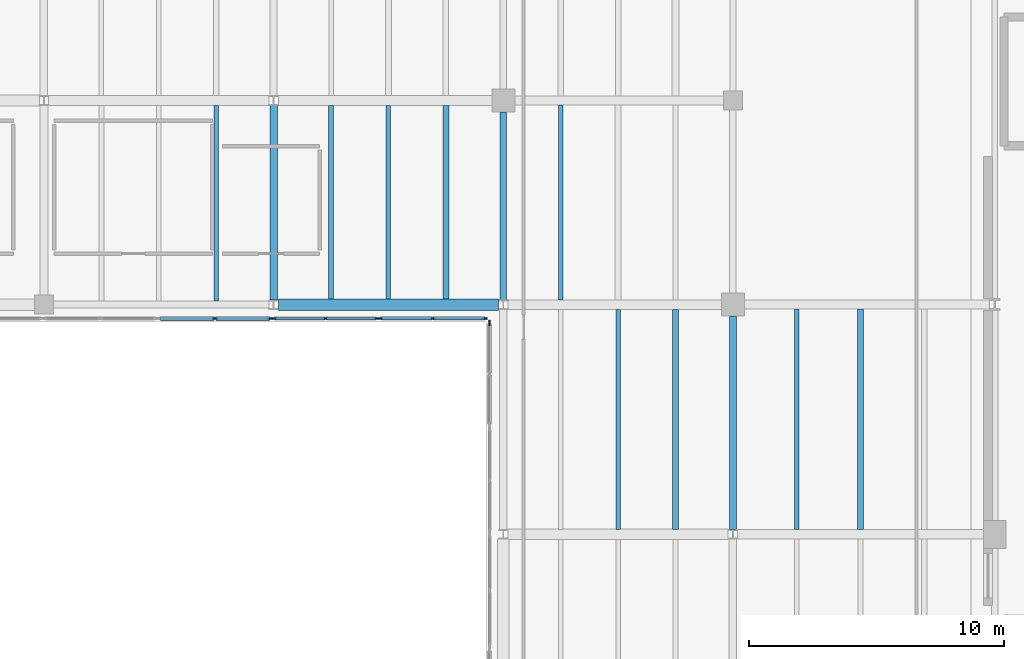
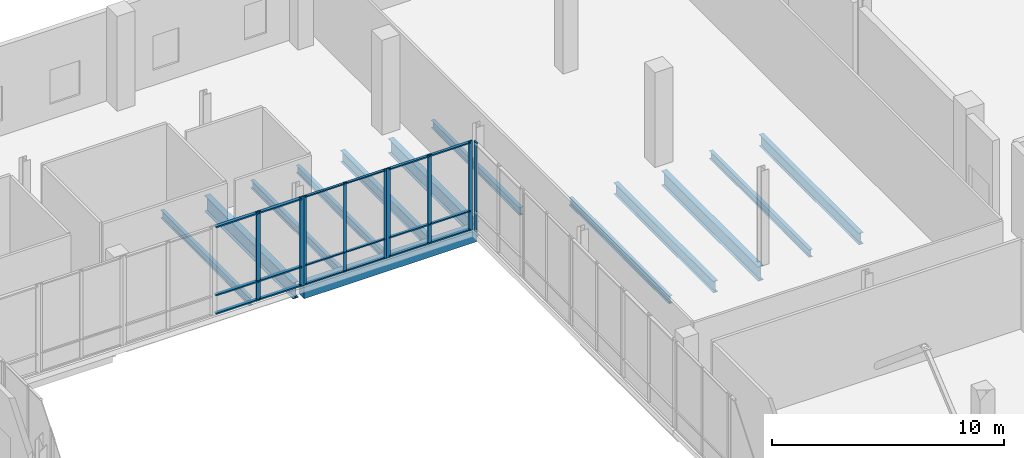
# One storey, part 28 of 60: 27 members, 13 beams, 4 elements without a shape of their own.
"""IFC4 building model written with IfcOpenShell, lengths in metres."""

from ifc_helpers import new_model, si_unit, direction, frame, origin, origin_2d, place, context, subcontext, project, spatial, rectangle, i_section, extrude, material, material_profile, profile_set, type_object, element, aggregate, save


model = new_model("IFC4")

# Units and contexts
model_context = context("Model", 3, precision=1e-05, world=origin(), true_north=direction((0.0, 1.0)))
body_context = subcontext(model_context, "Body", "Model", "MODEL_VIEW")
ifc_project = project(units=[si_unit("LENGTHUNIT", "METRE"), si_unit("AREAUNIT", "SQUARE_METRE"), si_unit("VOLUMEUNIT", "CUBIC_METRE"), si_unit("PLANEANGLEUNIT", "RADIAN"), si_unit("MASSUNIT", "GRAM", prefix="KILO")], contexts=[model_context])

# Site, building, storey
site_placement = place(None, origin())
site = spatial("IfcSite", under=ifc_project, at=site_placement, CompositionType="ELEMENT")
building_placement = place(site_placement, origin())
building = spatial("IfcBuilding", under=site, at=building_placement, Name="Trimount Lyric Opera House", CompositionType="ELEMENT")
storey_placement = place(building_placement, frame((0.0, 0.0, 15.0)))
storey = spatial("IfcBuildingStorey", under=building, at=storey_placement, Name="L03", CompositionType="ELEMENT", Elevation=15.0)

# Beams
ifc_material_1 = material(Name="Steel ASTM A992 Grade 50", Category="steel")
ifc_material_profile_1 = material_profile(ifc_material_1, i_section(OverallWidth=0.2919921875, OverallDepth=0.845947265625, WebThickness=0.015380859375, FlangeThickness=0.0244140625, FilletRadius=0.01806640625, at=origin_2d()), Name="W33X141")
ifc_profile_set_1 = profile_set([ifc_material_profile_1], Name="Steel ASTM A992 Grade 50")
beam_type_1 = type_object("IfcBeamType", Name="B-05", PredefinedType="BEAM", material=ifc_profile_set_1)
beam_1_placement = place(storey_placement, frame((36.0, 102.177978515625, -0.702880859375), z_axis=(0.0, 1.0, 0.0), x_axis=(-1.0, 0.0, 0.0)))
element("IfcBeam", 1, at=beam_1_placement, inside=storey, type_object=beam_type_1, Name="L03 girder Y-1052", PredefinedType="BEAM", context=body_context, shape_type="SweptSolid", body=[
    extrude(i_section(OverallWidth=0.2919921875, OverallDepth=0.845947265625, WebThickness=0.015380859375, FlangeThickness=0.0244140625, FilletRadius=0.01806640625, at=origin_2d()), origin(), (0.0, 0.0, 1.0), 7.637939453125),
])
ifc_material_2 = material(Name="Steel ASTM A992 Grade 50", Category="steel")
ifc_material_profile_2 = material_profile(ifc_material_2, i_section(OverallWidth=0.26708984375, OverallDepth=0.761962890625, WebThickness=0.014404296875, FlangeThickness=0.021484375, FilletRadius=0.01708984375, at=origin_2d()), Name="W30X116")
ifc_profile_set_2 = profile_set([ifc_material_profile_2], Name="Steel ASTM A992 Grade 50")
beam_type_2 = type_object("IfcBeamType", Name="B-07", PredefinedType="BEAM", material=ifc_profile_set_2)
beam_2_placement = place(storey_placement, frame((45.0, 102.18408203125, -0.660888671875), z_axis=(0.0, 1.0, 0.0), x_axis=(-1.0, 0.0, 0.0)))
element("IfcBeam", 2, at=beam_2_placement, inside=storey, type_object=beam_type_2, Name="L03 girder Y-1062", PredefinedType="BEAM", context=body_context, shape_type="SweptSolid", body=[
    extrude(i_section(OverallWidth=0.26708984375, OverallDepth=0.761962890625, WebThickness=0.014404296875, FlangeThickness=0.021484375, FilletRadius=0.01708984375, at=origin_2d()), origin(), (0.0, 0.0, 1.0), 7.365966796875),
])
beam_3_placement = place(storey_placement, frame((54.0, 93.18408203125, -0.660888671875), z_axis=(0.0, 1.0, 0.0), x_axis=(-1.0, 0.0, 0.0)))
element("IfcBeam", 3, at=beam_3_placement, inside=storey, type_object=beam_type_2, Name="L03 girder Y-1071", PredefinedType="BEAM", context=body_context, shape_type="SweptSolid", body=[
    extrude(i_section(OverallWidth=0.26708984375, OverallDepth=0.761962890625, WebThickness=0.014404296875, FlangeThickness=0.021484375, FilletRadius=0.01708984375, at=origin_2d()), origin(), (0.0, 0.0, 1.0), 8.365966796875),
])
ifc_material_3 = material(Name="Steel ASTM A992 Grade 50", Category="steel")
ifc_material_profile_3 = material_profile(ifc_material_3, i_section(OverallWidth=0.22802734375, OverallDepth=0.60205078125, WebThickness=0.010498046875, FlangeThickness=0.014892578125, FilletRadius=0.012939453125, at=origin_2d()), Name="W24X68")
ifc_profile_set_3 = profile_set([ifc_material_profile_3], Name="Steel ASTM A992 Grade 50")
beam_type_3 = type_object("IfcBeamType", Name="J-01", PredefinedType="BEAM", material=ifc_profile_set_3)
beam_4_placement = place(storey_placement, frame((42.75, 102.220947265625, -0.5810546875), z_axis=(0.0, 1.0, 0.0), x_axis=(-1.0, 0.0, 0.0)))
element("IfcBeam", 4, at=beam_4_placement, inside=storey, type_object=beam_type_3, Name="L03 composite floor joist 1025", PredefinedType="BEAM", context=body_context, shape_type="SweptSolid", body=[
    extrude(i_section(OverallWidth=0.22802734375, OverallDepth=0.60205078125, WebThickness=0.010498046875, FlangeThickness=0.014892578125, FilletRadius=0.012939453125, at=origin_2d()), origin(), (0.0, 0.0, 1.0), 7.592041015625),
])
beam_5_placement = place(storey_placement, frame((51.75, 93.196533203125, -0.5810546875), z_axis=(0.0, 1.0, 0.0), x_axis=(-1.0, 0.0, 0.0)))
element("IfcBeam", 5, at=beam_5_placement, inside=storey, type_object=beam_type_3, Name="L03 composite floor joist 1052", PredefinedType="BEAM", context=body_context, shape_type="SweptSolid", body=[
    extrude(i_section(OverallWidth=0.22802734375, OverallDepth=0.60205078125, WebThickness=0.010498046875, FlangeThickness=0.014892578125, FilletRadius=0.012939453125, at=origin_2d()), origin(), (0.0, 0.0, 1.0), 8.616455078125),
])
beam_6_placement = place(storey_placement, frame((59.0, 93.18701171875, -0.5810546875), z_axis=(0.0, 1.0, 0.0), x_axis=(-1.0, 0.0, 0.0)))
element("IfcBeam", 6, at=beam_6_placement, inside=storey, type_object=beam_type_3, Name="L03 composite floor joist 1072", PredefinedType="BEAM", context=body_context, shape_type="SweptSolid", body=[
    extrude(i_section(OverallWidth=0.22802734375, OverallDepth=0.60205078125, WebThickness=0.010498046875, FlangeThickness=0.014892578125, FilletRadius=0.012939453125, at=origin_2d()), origin(), (0.0, 0.0, 1.0), 8.638916015625),
])
ifc_material_4 = material(Name="Steel ASTM A992 Grade 50", Category="steel")
ifc_material_profile_4 = material_profile(ifc_material_4, i_section(OverallWidth=0.180908203125, OverallDepth=0.4169921875, WebThickness=0.010986328125, FlangeThickness=0.018310546875, FilletRadius=0.010986328125, at=origin_2d()), Name="W16X57")
ifc_profile_set_4 = profile_set([ifc_material_profile_4], Name="Steel ASTM A992 Grade 50")
beam_type_4 = type_object("IfcBeamType", Name="J-05", PredefinedType="BEAM", material=ifc_profile_set_4)
beam_7_placement = place(storey_placement, frame((38.25, 102.220947265625, -0.488525390625), z_axis=(0.0, 1.0, 0.0), x_axis=(-1.0, 0.0, 0.0)))
element("IfcBeam", 7, at=beam_7_placement, inside=storey, type_object=beam_type_4, Name="L03 composite floor joist 1023", PredefinedType="BEAM", context=body_context, shape_type="SweptSolid", body=[
    extrude(i_section(OverallWidth=0.180908203125, OverallDepth=0.4169921875, WebThickness=0.010986328125, FlangeThickness=0.018310546875, FilletRadius=0.010986328125, at=origin_2d()), origin(), (0.0, 0.0, 1.0), 7.592041015625),
])
ifc_material_5 = material(Name="Steel ASTM A992 Grade 50", Category="steel")
ifc_material_profile_5 = material_profile(ifc_material_5, i_section(OverallWidth=0.177978515625, OverallDepth=0.404052734375, WebThickness=0.007568359375, FlangeThickness=0.010986328125, FilletRadius=0.010009765625, at=origin_2d()), Name="W16X36")
ifc_profile_set_5 = profile_set([ifc_material_profile_5], Name="Steel ASTM A992 Grade 50")
beam_type_5 = type_object("IfcBeamType", Name="J-06", PredefinedType="BEAM", material=ifc_profile_set_5)
beam_8_placement = place(storey_placement, frame((33.75, 102.136962890625, -0.48193359375), z_axis=(0.0, 1.0, 0.0), x_axis=(-1.0, 0.0, 0.0)))
element("IfcBeam", 8, at=beam_8_placement, inside=storey, type_object=beam_type_5, Name="L03 composite floor joist 1013", PredefinedType="BEAM", context=body_context, shape_type="SweptSolid", body=[
    extrude(i_section(OverallWidth=0.177978515625, OverallDepth=0.404052734375, WebThickness=0.007568359375, FlangeThickness=0.010986328125, FilletRadius=0.010009765625, at=origin_2d()), origin(), (0.0, 0.0, 1.0), 7.66650390625),
])
beam_9_placement = place(storey_placement, frame((40.5, 102.220947265625, -0.48193359375), z_axis=(0.0, 1.0, 0.0), x_axis=(-1.0, 0.0, 0.0)))
element("IfcBeam", 9, at=beam_9_placement, inside=storey, type_object=beam_type_5, Name="L03 composite floor joist 1024", PredefinedType="BEAM", context=body_context, shape_type="SweptSolid", body=[
    extrude(i_section(OverallWidth=0.177978515625, OverallDepth=0.404052734375, WebThickness=0.007568359375, FlangeThickness=0.010986328125, FilletRadius=0.010009765625, at=origin_2d()), origin(), (0.0, 0.0, 1.0), 7.592041015625),
])
beam_10_placement = place(storey_placement, frame((49.5, 93.196533203125, -0.48193359375), z_axis=(0.0, 1.0, 0.0), x_axis=(-1.0, 0.0, 0.0)))
element("IfcBeam", 10, at=beam_10_placement, inside=storey, type_object=beam_type_5, Name="L03 composite floor joist 1051", PredefinedType="BEAM", context=body_context, shape_type="SweptSolid", body=[
    extrude(i_section(OverallWidth=0.177978515625, OverallDepth=0.404052734375, WebThickness=0.007568359375, FlangeThickness=0.010986328125, FilletRadius=0.010009765625, at=origin_2d()), origin(), (0.0, 0.0, 1.0), 8.616455078125),
])
beam_11_placement = place(storey_placement, frame((47.25, 102.18701171875, -0.48193359375), z_axis=(0.0, 1.0, 0.0), x_axis=(-1.0, 0.0, 0.0)))
element("IfcBeam", 11, at=beam_11_placement, inside=storey, type_object=beam_type_5, Name="L03 composite floor joist 1053", PredefinedType="BEAM", context=body_context, shape_type="SweptSolid", body=[
    extrude(i_section(OverallWidth=0.177978515625, OverallDepth=0.404052734375, WebThickness=0.007568359375, FlangeThickness=0.010986328125, FilletRadius=0.010009765625, at=origin_2d()), origin(), (0.0, 0.0, 1.0), 7.638916015625),
])
beam_12_placement = place(storey_placement, frame((56.5, 93.18701171875, -0.48193359375), z_axis=(0.0, 1.0, 0.0), x_axis=(-1.0, 0.0, 0.0)))
element("IfcBeam", 12, at=beam_12_placement, inside=storey, type_object=beam_type_5, Name="L03 composite floor joist 1071", PredefinedType="BEAM", context=body_context, shape_type="SweptSolid", body=[
    extrude(i_section(OverallWidth=0.177978515625, OverallDepth=0.404052734375, WebThickness=0.007568359375, FlangeThickness=0.010986328125, FilletRadius=0.010009765625, at=origin_2d()), origin(), (0.0, 0.0, 1.0), 8.638916015625),
])

# Curtain wall, member
ifc_material_6 = material(Name="Thermally Broken Aluminium and Low-E Glass", Category="aluminium")
curtain_wall_type = type_object("IfcCurtainWallType", Name="CW-03", PredefinedType="NOTDEFINED", material=ifc_material_6)
curtain_wall_1_placement = place(storey_placement, origin())
curtain_wall_1 = element("IfcCurtainWall", 13, at=curtain_wall_1_placement, inside=storey, type_object=curtain_wall_type, Name="L03 curtain wall 282", PredefinedType="NOTDEFINED")
ifc_material_7 = material(Name="Anodised Aluminium 6063-T6", Category="aluminium")
ifc_material_profile_6 = material_profile(ifc_material_7, rectangle(XDim=0.070068359375, YDim=0.219970703125, at=origin_2d()), Name="ALU-MULL-70X220")
ifc_profile_set_6 = profile_set([ifc_material_profile_6], Name="Anodised Aluminium 6063-T6")
member_type_1 = type_object("IfcMemberType", Name="ML-01", PredefinedType="MULLION", material=ifc_profile_set_6)
member_1_placement = place(storey_placement, frame((44.4599609375, 101.284912109375, 0.0), z_axis=(0.0, 0.0, 1.0), x_axis=(-1.0, 0.0, 0.0)))
member_1 = element("IfcMember", 14, at=member_1_placement, type_object=member_type_1, Name="CW-03 mullion 3", PredefinedType="MULLION", context=body_context, shape_type="SweptSolid", body=[
    extrude(rectangle(XDim=0.070068359375, YDim=0.219970703125, at=origin_2d()), origin(), (0.0, 0.0, 1.0), 4.719970703125),
])
aggregate(curtain_wall_1, [member_1])

# Curtain wall, members
curtain_wall_2_placement = place(storey_placement, origin())
curtain_wall_2 = element("IfcCurtainWall", 15, at=curtain_wall_2_placement, inside=storey, type_object=curtain_wall_type, Name="L03 curtain wall 285", PredefinedType="NOTDEFINED")
member_2_placement = place(storey_placement, frame((35.875, 101.4599609375, 0.0), z_axis=(0.0, 0.0, 1.0), x_axis=(0.0, -1.0, 0.0)))
member_2 = element("IfcMember", 16, at=member_2_placement, type_object=member_type_1, Name="CW-03 mullion 1", PredefinedType="MULLION", context=body_context, shape_type="SweptSolid", body=[
    extrude(rectangle(XDim=0.070068359375, YDim=0.219970703125, at=origin_2d()), origin(), (0.0, 0.0, 1.0), 4.719970703125),
])
member_3_placement = place(storey_placement, frame((33.705078125, 101.4599609375, 0.0), z_axis=(0.0, 0.0, 1.0), x_axis=(0.0, -1.0, 0.0)))
member_3 = element("IfcMember", 17, at=member_3_placement, type_object=member_type_1, Name="CW-03 mullion 2", PredefinedType="MULLION", context=body_context, shape_type="SweptSolid", body=[
    extrude(rectangle(XDim=0.070068359375, YDim=0.219970703125, at=origin_2d()), origin(), (0.0, 0.0, 1.0), 4.719970703125),
])

curtain_wall_3_placement = place(storey_placement, origin())
curtain_wall_3 = element("IfcCurtainWall", 18, at=curtain_wall_3_placement, inside=storey, type_object=curtain_wall_type, Name="L03 curtain wall 283", PredefinedType="NOTDEFINED")
ifc_material_8 = material(Name="Anodised Aluminium 6063-T6", Category="aluminium")
ifc_material_profile_7 = material_profile(ifc_material_8, rectangle(XDim=0.06494140625, YDim=0.179931640625, at=origin_2d()), Name="ALU-MULL-65X180")
ifc_profile_set_7 = profile_set([ifc_material_profile_7], Name="Anodised Aluminium 6063-T6")
member_type_2 = type_object("IfcMemberType", Name="ML-02", PredefinedType="MULLION", material=ifc_profile_set_7)
member_4_placement = place(storey_placement, frame((44.28759765625, 101.4599609375, 0.0), z_axis=(0.0, 0.0, 1.0), x_axis=(0.0, -1.0, 0.0)))
member_4 = element("IfcMember", 19, at=member_4_placement, type_object=member_type_2, Name="CW-03 mullion 1", PredefinedType="MULLION", context=body_context, shape_type="SweptSolid", body=[
    extrude(rectangle(XDim=0.06494140625, YDim=0.179931640625, at=origin_2d()), origin(), (0.0, 0.0, 1.0), 4.719970703125),
])
member_5_placement = place(storey_placement, frame((42.239990234375, 101.4599609375, 0.0), z_axis=(0.0, 0.0, 1.0), x_axis=(0.0, -1.0, 0.0)))
member_5 = element("IfcMember", 20, at=member_5_placement, type_object=member_type_2, Name="CW-03 mullion 2", PredefinedType="MULLION", context=body_context, shape_type="SweptSolid", body=[
    extrude(rectangle(XDim=0.06494140625, YDim=0.179931640625, at=origin_2d()), origin(), (0.0, 0.0, 1.0), 4.719970703125),
])
member_6_placement = place(storey_placement, frame((40.1923828125, 101.4599609375, 0.0), z_axis=(0.0, 0.0, 1.0), x_axis=(0.0, -1.0, 0.0)))
member_6 = element("IfcMember", 21, at=member_6_placement, type_object=member_type_2, Name="CW-03 mullion 3", PredefinedType="MULLION", context=body_context, shape_type="SweptSolid", body=[
    extrude(rectangle(XDim=0.06494140625, YDim=0.179931640625, at=origin_2d()), origin(), (0.0, 0.0, 1.0), 4.719970703125),
])

curtain_wall_4_placement = place(storey_placement, origin())
curtain_wall_4 = element("IfcCurtainWall", 22, at=curtain_wall_4_placement, inside=storey, type_object=curtain_wall_type, Name="L03 curtain wall 284", PredefinedType="NOTDEFINED")
ifc_material_9 = material(Name="Anodised Aluminium 6063-T6", Category="aluminium")
ifc_material_profile_8 = material_profile(ifc_material_9, rectangle(XDim=0.06005859375, YDim=0.14990234375, at=origin_2d()), Name="ALU-MULL-60X150")
ifc_profile_set_8 = profile_set([ifc_material_profile_8], Name="Anodised Aluminium 6063-T6")
member_type_3 = type_object("IfcMemberType", Name="ML-03", PredefinedType="MULLION", material=ifc_profile_set_8)
member_7_placement = place(storey_placement, frame((40.0400390625, 101.4599609375, 0.0), z_axis=(0.0, 0.0, 1.0), x_axis=(0.0, -1.0, 0.0)))
member_7 = element("IfcMember", 23, at=member_7_placement, type_object=member_type_3, Name="CW-03 mullion 1", PredefinedType="MULLION", context=body_context, shape_type="SweptSolid", body=[
    extrude(rectangle(XDim=0.06005859375, YDim=0.14990234375, at=origin_2d()), origin(), (0.0, 0.0, 1.0), 4.719970703125),
])
member_8_placement = place(storey_placement, frame((38.034912109375, 101.4599609375, 0.0), z_axis=(0.0, 0.0, 1.0), x_axis=(0.0, -1.0, 0.0)))
member_8 = element("IfcMember", 24, at=member_8_placement, type_object=member_type_3, Name="CW-03 mullion 2", PredefinedType="MULLION", context=body_context, shape_type="SweptSolid", body=[
    extrude(rectangle(XDim=0.06005859375, YDim=0.14990234375, at=origin_2d()), origin(), (0.0, 0.0, 1.0), 4.719970703125),
])
member_9_placement = place(storey_placement, frame((36.030029296875, 101.4599609375, 0.0), z_axis=(0.0, 0.0, 1.0), x_axis=(0.0, -1.0, 0.0)))
member_9 = element("IfcMember", 25, at=member_9_placement, type_object=member_type_3, Name="CW-03 mullion 3", PredefinedType="MULLION", context=body_context, shape_type="SweptSolid", body=[
    extrude(rectangle(XDim=0.06005859375, YDim=0.14990234375, at=origin_2d()), origin(), (0.0, 0.0, 1.0), 4.719970703125),
])

# Beam
ifc_material_10 = material(Name="Concrete C40/50", Category="concrete")
ifc_material_profile_9 = material_profile(ifc_material_10, rectangle(XDim=0.449951171875, YDim=0.699951171875, at=origin_2d()), Name="RC450X700")
ifc_profile_set_9 = profile_set([ifc_material_profile_9], Name="Concrete C40/50")
beam_type_6 = type_object("IfcBeamType", Name="SP-02", PredefinedType="SPANDREL", material=ifc_profile_set_9)
beam_13_placement = place(storey_placement, frame((36.18408203125, 102.0, -0.6298828125), z_axis=(1.0, 0.0, 0.0), x_axis=(0.0, 1.0, 0.0)))
element("IfcBeam", 26, at=beam_13_placement, inside=storey, type_object=beam_type_6, Name="L03 girder X-0999", PredefinedType="SPANDREL", context=body_context, shape_type="SweptSolid", body=[
    extrude(rectangle(XDim=0.449951171875, YDim=0.699951171875, at=origin_2d()), origin(), (0.0, 0.0, 1.0), 8.62939453125),
])

# Member
ifc_material_11 = material(Name="Anodised Aluminium 6063-T6", Category="aluminium")
ifc_material_profile_10 = material_profile(ifc_material_11, rectangle(XDim=0.159912109375, YDim=0.070068359375, at=origin_2d()), Name="ALU-TRAN-70X160")
ifc_profile_set_10 = profile_set([ifc_material_profile_10], Name="Anodised Aluminium 6063-T6")
member_type_4 = type_object("IfcMemberType", Name="TR-01", PredefinedType="USERDEFINED", material=ifc_profile_set_10)
member_10_placement = place(storey_placement, frame((35.840087890625, 101.4599609375, 0.080078125), z_axis=(-1.0, 0.0, 0.0), x_axis=(0.0, -1.0, 0.0)))
member_10 = element("IfcMember", 27, at=member_10_placement, type_object=member_type_4, Name="CW-03 transom 1.1", ObjectType="TRANSOM", PredefinedType="USERDEFINED", context=body_context, shape_type="SweptSolid", body=[
    extrude(rectangle(XDim=0.159912109375, YDim=0.070068359375, at=origin_2d()), origin(), (0.0, 0.0, 1.0), 2.10009765625),
])

member_11_placement = place(storey_placement, frame((35.840087890625, 101.4599609375, 1.050048828125), z_axis=(-1.0, 0.0, 0.0), x_axis=(0.0, -1.0, 0.0)))
member_11 = element("IfcMember", 28, at=member_11_placement, type_object=member_type_4, Name="CW-03 transom 1.2", ObjectType="TRANSOM", PredefinedType="USERDEFINED", context=body_context, shape_type="SweptSolid", body=[
    extrude(rectangle(XDim=0.159912109375, YDim=0.070068359375, at=origin_2d()), origin(), (0.0, 0.0, 1.0), 2.10009765625),
])

member_12_placement = place(storey_placement, frame((35.840087890625, 101.4599609375, 4.639892578125), z_axis=(-1.0, 0.0, 0.0), x_axis=(0.0, -1.0, 0.0)))
member_12 = element("IfcMember", 29, at=member_12_placement, type_object=member_type_4, Name="CW-03 transom 1.3", ObjectType="TRANSOM", PredefinedType="USERDEFINED", context=body_context, shape_type="SweptSolid", body=[
    extrude(rectangle(XDim=0.159912109375, YDim=0.070068359375, at=origin_2d()), origin(), (0.0, 0.0, 1.0), 2.10009765625),
])

member_13_placement = place(storey_placement, frame((33.669921875, 101.4599609375, 0.080078125), z_axis=(-1.0, 0.0, 0.0), x_axis=(0.0, -1.0, 0.0)))
member_13 = element("IfcMember", 30, at=member_13_placement, type_object=member_type_4, Name="CW-03 transom 2.1", ObjectType="TRANSOM", PredefinedType="USERDEFINED", context=body_context, shape_type="SweptSolid", body=[
    extrude(rectangle(XDim=0.159912109375, YDim=0.070068359375, at=origin_2d()), origin(), (0.0, 0.0, 1.0), 2.099853515625),
])

member_14_placement = place(storey_placement, frame((33.669921875, 101.4599609375, 1.050048828125), z_axis=(-1.0, 0.0, 0.0), x_axis=(0.0, -1.0, 0.0)))
member_14 = element("IfcMember", 31, at=member_14_placement, type_object=member_type_4, Name="CW-03 transom 2.2", ObjectType="TRANSOM", PredefinedType="USERDEFINED", context=body_context, shape_type="SweptSolid", body=[
    extrude(rectangle(XDim=0.159912109375, YDim=0.070068359375, at=origin_2d()), origin(), (0.0, 0.0, 1.0), 2.099853515625),
])

member_15_placement = place(storey_placement, frame((33.669921875, 101.4599609375, 4.639892578125), z_axis=(-1.0, 0.0, 0.0), x_axis=(0.0, -1.0, 0.0)))
member_15 = element("IfcMember", 32, at=member_15_placement, type_object=member_type_4, Name="CW-03 transom 2.3", ObjectType="TRANSOM", PredefinedType="USERDEFINED", context=body_context, shape_type="SweptSolid", body=[
    extrude(rectangle(XDim=0.159912109375, YDim=0.070068359375, at=origin_2d()), origin(), (0.0, 0.0, 1.0), 2.099853515625),
])

aggregate(curtain_wall_2, [member_2, member_3, member_10, member_11, member_12, member_13, member_14, member_15])

ifc_material_12 = material(Name="Anodised Aluminium 6063-T6", Category="aluminium")
ifc_material_profile_11 = material_profile(ifc_material_12, rectangle(XDim=0.135009765625, YDim=0.06494140625, at=origin_2d()), Name="ALU-TRAN-65X135")
ifc_profile_set_11 = profile_set([ifc_material_profile_11], Name="Anodised Aluminium 6063-T6")
member_type_5 = type_object("IfcMemberType", Name="TR-02", PredefinedType="USERDEFINED", material=ifc_profile_set_11)
member_16_placement = place(storey_placement, frame((44.2548828125, 101.4599609375, 0.0673828125), z_axis=(-1.0, 0.0, 0.0), x_axis=(0.0, -1.0, 0.0)))
member_16 = element("IfcMember", 33, at=member_16_placement, type_object=member_type_5, Name="CW-03 transom 1.1", ObjectType="TRANSOM", PredefinedType="USERDEFINED", context=body_context, shape_type="SweptSolid", body=[
    extrude(rectangle(XDim=0.135009765625, YDim=0.06494140625, at=origin_2d()), origin(), (0.0, 0.0, 1.0), 1.982421875),
])

member_17_placement = place(storey_placement, frame((44.2548828125, 101.4599609375, 1.050048828125), z_axis=(-1.0, 0.0, 0.0), x_axis=(0.0, -1.0, 0.0)))
member_17 = element("IfcMember", 34, at=member_17_placement, type_object=member_type_5, Name="CW-03 transom 1.2", ObjectType="TRANSOM", PredefinedType="USERDEFINED", context=body_context, shape_type="SweptSolid", body=[
    extrude(rectangle(XDim=0.135009765625, YDim=0.06494140625, at=origin_2d()), origin(), (0.0, 0.0, 1.0), 1.982421875),
])

member_18_placement = place(storey_placement, frame((44.2548828125, 101.4599609375, 4.652587890625), z_axis=(-1.0, 0.0, 0.0), x_axis=(0.0, -1.0, 0.0)))
member_18 = element("IfcMember", 35, at=member_18_placement, type_object=member_type_5, Name="CW-03 transom 1.3", ObjectType="TRANSOM", PredefinedType="USERDEFINED", context=body_context, shape_type="SweptSolid", body=[
    extrude(rectangle(XDim=0.135009765625, YDim=0.06494140625, at=origin_2d()), origin(), (0.0, 0.0, 1.0), 1.982421875),
])

member_19_placement = place(storey_placement, frame((42.20751953125, 101.4599609375, 0.0673828125), z_axis=(-1.0, 0.0, 0.0), x_axis=(0.0, -1.0, 0.0)))
member_19 = element("IfcMember", 36, at=member_19_placement, type_object=member_type_5, Name="CW-03 transom 2.1", ObjectType="TRANSOM", PredefinedType="USERDEFINED", context=body_context, shape_type="SweptSolid", body=[
    extrude(rectangle(XDim=0.135009765625, YDim=0.06494140625, at=origin_2d()), origin(), (0.0, 0.0, 1.0), 1.982421875),
])

member_20_placement = place(storey_placement, frame((42.20751953125, 101.4599609375, 1.050048828125), z_axis=(-1.0, 0.0, 0.0), x_axis=(0.0, -1.0, 0.0)))
member_20 = element("IfcMember", 37, at=member_20_placement, type_object=member_type_5, Name="CW-03 transom 2.2", ObjectType="TRANSOM", PredefinedType="USERDEFINED", context=body_context, shape_type="SweptSolid", body=[
    extrude(rectangle(XDim=0.135009765625, YDim=0.06494140625, at=origin_2d()), origin(), (0.0, 0.0, 1.0), 1.982421875),
])

member_21_placement = place(storey_placement, frame((42.20751953125, 101.4599609375, 4.652587890625), z_axis=(-1.0, 0.0, 0.0), x_axis=(0.0, -1.0, 0.0)))
member_21 = element("IfcMember", 38, at=member_21_placement, type_object=member_type_5, Name="CW-03 transom 2.3", ObjectType="TRANSOM", PredefinedType="USERDEFINED", context=body_context, shape_type="SweptSolid", body=[
    extrude(rectangle(XDim=0.135009765625, YDim=0.06494140625, at=origin_2d()), origin(), (0.0, 0.0, 1.0), 1.982421875),
])

aggregate(curtain_wall_3, [member_4, member_5, member_6, member_16, member_17, member_18, member_19, member_20, member_21])

ifc_material_13 = material(Name="Anodised Aluminium 6063-T6", Category="aluminium")
ifc_material_profile_12 = material_profile(ifc_material_13, rectangle(XDim=0.114990234375, YDim=0.06005859375, at=origin_2d()), Name="ALU-TRAN-60X115")
ifc_profile_set_12 = profile_set([ifc_material_profile_12], Name="Anodised Aluminium 6063-T6")
member_type_6 = type_object("IfcMemberType", Name="TR-03", PredefinedType="USERDEFINED", material=ifc_profile_set_12)
member_22_placement = place(storey_placement, frame((40.010009765625, 101.4599609375, 0.0576171875), z_axis=(-1.0, 0.0, 0.0), x_axis=(0.0, -1.0, 0.0)))
member_22 = element("IfcMember", 39, at=member_22_placement, type_object=member_type_6, Name="CW-03 transom 1.1", ObjectType="TRANSOM", PredefinedType="USERDEFINED", context=body_context, shape_type="SweptSolid", body=[
    extrude(rectangle(XDim=0.114990234375, YDim=0.06005859375, at=origin_2d()), origin(), (0.0, 0.0, 1.0), 1.945068359375),
])

member_23_placement = place(storey_placement, frame((40.010009765625, 101.4599609375, 1.050048828125), z_axis=(-1.0, 0.0, 0.0), x_axis=(0.0, -1.0, 0.0)))
member_23 = element("IfcMember", 40, at=member_23_placement, type_object=member_type_6, Name="CW-03 transom 1.2", ObjectType="TRANSOM", PredefinedType="USERDEFINED", context=body_context, shape_type="SweptSolid", body=[
    extrude(rectangle(XDim=0.114990234375, YDim=0.06005859375, at=origin_2d()), origin(), (0.0, 0.0, 1.0), 1.945068359375),
])

member_24_placement = place(storey_placement, frame((40.010009765625, 101.4599609375, 4.66259765625), z_axis=(-1.0, 0.0, 0.0), x_axis=(0.0, -1.0, 0.0)))
member_24 = element("IfcMember", 41, at=member_24_placement, type_object=member_type_6, Name="CW-03 transom 1.3", ObjectType="TRANSOM", PredefinedType="USERDEFINED", context=body_context, shape_type="SweptSolid", body=[
    extrude(rectangle(XDim=0.114990234375, YDim=0.06005859375, at=origin_2d()), origin(), (0.0, 0.0, 1.0), 1.945068359375),
])

member_25_placement = place(storey_placement, frame((38.0048828125, 101.4599609375, 0.0576171875), z_axis=(-1.0, 0.0, 0.0), x_axis=(0.0, -1.0, 0.0)))
member_25 = element("IfcMember", 42, at=member_25_placement, type_object=member_type_6, Name="CW-03 transom 2.1", ObjectType="TRANSOM", PredefinedType="USERDEFINED", context=body_context, shape_type="SweptSolid", body=[
    extrude(rectangle(XDim=0.114990234375, YDim=0.06005859375, at=origin_2d()), origin(), (0.0, 0.0, 1.0), 1.94482421875),
])

member_26_placement = place(storey_placement, frame((38.0048828125, 101.4599609375, 1.050048828125), z_axis=(-1.0, 0.0, 0.0), x_axis=(0.0, -1.0, 0.0)))
member_26 = element("IfcMember", 43, at=member_26_placement, type_object=member_type_6, Name="CW-03 transom 2.2", ObjectType="TRANSOM", PredefinedType="USERDEFINED", context=body_context, shape_type="SweptSolid", body=[
    extrude(rectangle(XDim=0.114990234375, YDim=0.06005859375, at=origin_2d()), origin(), (0.0, 0.0, 1.0), 1.94482421875),
])

member_27_placement = place(storey_placement, frame((38.0048828125, 101.4599609375, 4.66259765625), z_axis=(-1.0, 0.0, 0.0), x_axis=(0.0, -1.0, 0.0)))
member_27 = element("IfcMember", 44, at=member_27_placement, type_object=member_type_6, Name="CW-03 transom 2.3", ObjectType="TRANSOM", PredefinedType="USERDEFINED", context=body_context, shape_type="SweptSolid", body=[
    extrude(rectangle(XDim=0.114990234375, YDim=0.06005859375, at=origin_2d()), origin(), (0.0, 0.0, 1.0), 1.94482421875),
])

aggregate(curtain_wall_4, [member_7, member_8, member_9, member_22, member_23, member_24, member_25, member_26, member_27])

save(model, "model.ifc")
